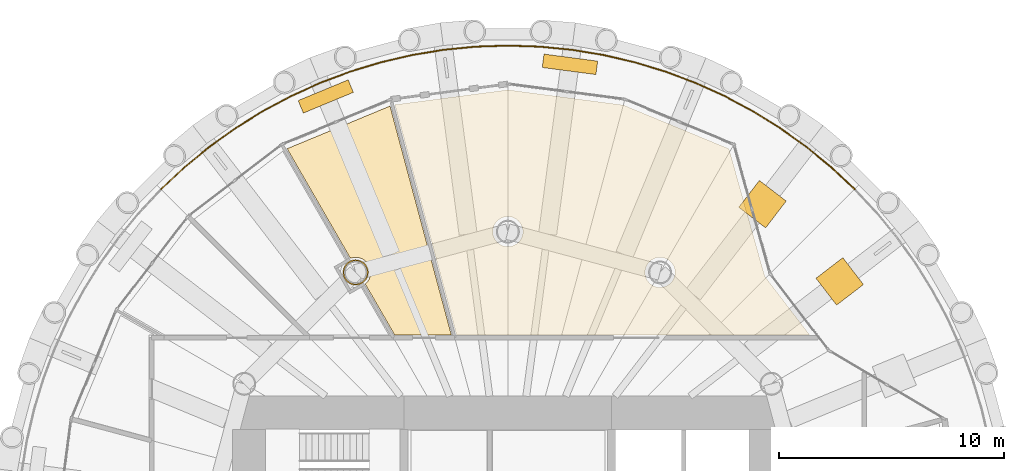
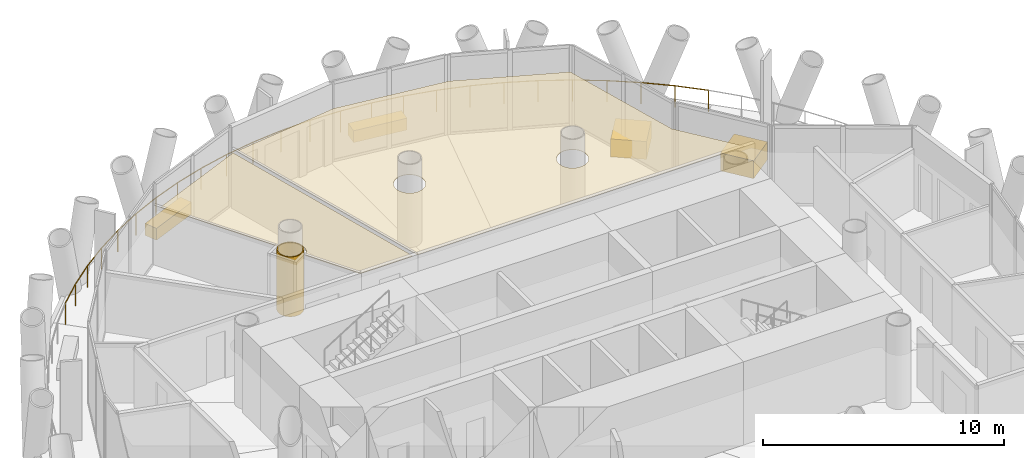
# One storey, part 14 of 14: 7 coverings, 1 railing.
"""IFC4 building model written with IfcOpenShell, lengths in metres."""

import ifcopenshell
import ifcopenshell.guid

model = None  # the IFC model being written
_history = None  # IfcOwnerHistory: only IFC2X3 demands one
_inside = {}  # id of a spatial element -> (the spatial element, [elements in it])
_under = {}  # id of a project, library or spatial element -> (it, [spatial elements below it])
_declared = {}  # id of a project -> (the project, [libraries it declares])
_typed = {}  # id of a type object -> (the type object, [elements of that type])
_made_of = {}  # id of a material, layer set ... -> (it, [elements and type objects made of it])


def new_model(schema):
    """Start an empty IFC model of exactly this schema.

    Asked for "IFC4X3", IfcOpenShell would pick the latest addendum, in which some entities
    have other attributes; the version numbers below select the first issue.
    IFC2X3 requires an IfcOwnerHistory on every rooted entity: one is made here for all.
    """
    global model, _history
    if schema == "IFC4X3":
        model = ifcopenshell.file(schema_version=(4, 3, 0, 0))
    else:
        model = ifcopenshell.file(schema=schema)
    _inside.clear()
    _under.clear()
    _declared.clear()
    _typed.clear()
    _made_of.clear()
    _history = None
    if model.schema == "IFC2X3":
        org = make("IfcOrganization", Name="unknown")
        user = make(
            "IfcPersonAndOrganization",
            ThePerson=make("IfcPerson", FamilyName="unknown"),
            TheOrganization=org,
        )
        app = make(
            "IfcApplication",
            ApplicationDeveloper=org,
            Version="unknown",
            ApplicationFullName="unknown",
            ApplicationIdentifier="unknown",
        )
        _history = make(
            "IfcOwnerHistory",
            OwningUser=user,
            OwningApplication=app,
            ChangeAction="ADDED",
            CreationDate=0,
        )
    return model


def make(cls, **values):
    """One entity of the class cls with the attributes given. An attribute that is None is left unset."""
    return model.create_entity(
        cls, **{name: value for name, value in values.items() if value is not None}
    )


def rooted(cls, **values):
    """An entity with a GlobalId (a new one), such as an element, a storey or a relation."""
    return make(cls, GlobalId=ifcopenshell.guid.new(), OwnerHistory=_history, **values)


def si_unit(unit_type, name, prefix=None):
    """IfcSIUnit, for example si_unit("LENGTHUNIT", "METRE", prefix="MILLI")."""
    return make("IfcSIUnit", UnitType=unit_type, Prefix=prefix, Name=name)


def assignment(units):
    """IfcUnitAssignment: the units of a project."""
    return None if units is None else make("IfcUnitAssignment", Units=units)


def point(xyz):
    """IfcCartesianPoint."""
    return None if xyz is None else make("IfcCartesianPoint", Coordinates=xyz)


def direction(xyz):
    """IfcDirection."""
    return None if xyz is None else make("IfcDirection", DirectionRatios=xyz)


def frame(location, z_axis=None, x_axis=None):
    """IfcAxis2Placement3D, a coordinate frame: its origin and axes. An axis left out is left unset."""
    return make(
        "IfcAxis2Placement3D",
        Location=point(location),
        Axis=direction(z_axis),
        RefDirection=direction(x_axis),
    )


def frame_2d(location, x_axis=None):
    """IfcAxis2Placement2D, a coordinate frame in the plane: its origin and x axis."""
    return make(
        "IfcAxis2Placement2D", Location=point(location), RefDirection=direction(x_axis)
    )


def origin():
    """The frame at (0, 0, 0) with its axes left unset."""
    return frame((0.0, 0.0, 0.0))


def origin_2d():
    """The frame at (0, 0) in the plane with its x axis left unset."""
    return frame_2d((0.0, 0.0))


def place(relative_to, where):
    """IfcLocalPlacement: puts the frame where relative to a parent placement (None: the world)."""
    return make(
        "IfcLocalPlacement", PlacementRelTo=relative_to, RelativePlacement=where
    )


def context(
    kind, dimensions, precision=None, world=None, true_north=None, identifier=None
):
    """IfcGeometricRepresentationContext, for example the 3D "Model" context."""
    return make(
        "IfcGeometricRepresentationContext",
        ContextIdentifier=identifier,
        ContextType=kind,
        CoordinateSpaceDimension=dimensions,
        Precision=precision,
        WorldCoordinateSystem=world,
        TrueNorth=true_north,
    )


def subcontext(parent, identifier, kind, view, scale=None):
    """IfcGeometricRepresentationSubContext, for example "Body" below "Model"."""
    return make(
        "IfcGeometricRepresentationSubContext",
        ContextIdentifier=identifier,
        ContextType=kind,
        ParentContext=parent,
        TargetScale=scale,
        TargetView=view,
    )


def project(units=None, contexts=None):
    """IfcProject with its units and contexts."""
    return rooted(
        "IfcProject",
        Name="project",
        RepresentationContexts=contexts,
        UnitsInContext=assignment(units),
    )


def spatial(cls, under=None, at=None, **own):
    """A site, building, storey or space (cls), placed at a placement, below another one or the project."""
    s = rooted(cls, ObjectPlacement=at, **own)
    if under is not None:
        _under.setdefault(under.id(), (under, []))[1].append(s)
    return s


def polyline(points):
    """IfcPolyline through the points."""
    return make("IfcPolyline", Points=[point(p) for p in points])


def profile(cls, at=None, kind="AREA", **sizes):
    """A parametric profile (cls). Its sizes go by their IFC names, for example OverallWidth=200.0."""
    return make(cls, ProfileType=kind, Position=at, **sizes)


def rectangle(**sizes):
    """IfcRectangleProfileDef."""
    return profile("IfcRectangleProfileDef", **sizes)


def circle(**sizes):
    """IfcCircleProfileDef."""
    return profile("IfcCircleProfileDef", **sizes)


def outline(outer, holes=None, kind="AREA"):
    """IfcArbitraryClosedProfileDef: a profile drawn as a closed curve; with holes, ...WithVoids."""
    if holes is None:
        return make("IfcArbitraryClosedProfileDef", ProfileType=kind, OuterCurve=outer)
    return make(
        "IfcArbitraryProfileDefWithVoids",
        ProfileType=kind,
        OuterCurve=outer,
        InnerCurves=holes,
    )


def extrude(swept, where, along, depth):
    """IfcExtrudedAreaSolid: the profile swept, set in the frame where, extruded along a direction by depth."""
    return make(
        "IfcExtrudedAreaSolid",
        SweptArea=swept,
        Position=where,
        ExtrudedDirection=direction(along),
        Depth=depth,
    )


def shape(context_of_items, identifier, shape_type, items):
    """IfcShapeRepresentation: the items that make up one representation, for example the "Body"."""
    return make(
        "IfcShapeRepresentation",
        ContextOfItems=context_of_items,
        RepresentationIdentifier=identifier,
        RepresentationType=shape_type,
        Items=items,
    )


def material(Name=None, Category=None):
    """IfcMaterial."""
    return make("IfcMaterial", Name=Name, Category=Category)


def layer(
    of_material, thickness, ventilated=None, Name=None, Category=None, Priority=None
):
    """IfcMaterialLayer: one layer of a wall or slab, of a material (None: an air gap)."""
    return make(
        "IfcMaterialLayer",
        Material=of_material,
        LayerThickness=thickness,
        IsVentilated=ventilated,
        Name=Name,
        Category=Category,
        Priority=Priority,
    )


def layer_set(layers, Name=None):
    """IfcMaterialLayerSet."""
    return make("IfcMaterialLayerSet", MaterialLayers=layers, LayerSetName=Name)


def made_of(thing, what):
    """Note that an element or type object is made of a material, layer set ...; save() writes the relation."""
    if what is not None:
        _made_of.setdefault(what.id(), (what, []))[1].append(thing)
    return thing


def type_object(cls, material=None, **own):
    """A type object (cls), such as IfcWallType, which elements share."""
    return made_of(rooted(cls, **own), material)


def element(
    cls,
    number,
    at=None,
    inside=None,
    cuts=None,
    type_object=None,
    material=None,
    context=None,
    identifier="Body",
    shape_type=None,
    held_by="IfcProductDefinitionShape",
    body=None,
    shapes=None,
    **own,
):
    """One element of the class cls, such as IfcWall. Its Tag is "e" and its number.

    at: its placement. inside: the storey or other place that contains it. cuts: it is an
    opening in that element (IfcRelVoidsElement). A single representation is given by context,
    identifier, shape_type and body (its items); several are given by shapes. held_by: the class
    of the entity that holds the representations. save() writes the other relations.
    """
    e = rooted(cls, Tag="e%d" % number, ObjectPlacement=at, **own)
    if body is not None:
        shapes = [shape(context, identifier, shape_type, body)]
    if shapes is not None:
        e.Representation = make(held_by, Representations=shapes)
    if inside is not None:
        _inside.setdefault(inside.id(), (inside, []))[1].append(e)
    if cuts is not None:
        rooted(
            "IfcRelVoidsElement", RelatingBuildingElement=cuts, RelatedOpeningElement=e
        )
    if type_object is not None:
        _typed.setdefault(type_object.id(), (type_object, []))[1].append(e)
    return made_of(e, material)


def aggregate(whole, parts):
    """IfcRelAggregates: a whole, such as a stair, and the parts it consists of."""
    return rooted("IfcRelAggregates", RelatingObject=whole, RelatedObjects=parts)


def save(model, path):
    """Write the relations noted so far, then the file.

    IfcRelAggregates (storeys below a building ...), IfcRelContainedInSpatialStructure (elements
    in a storey), IfcRelDefinesByType, IfcRelAssociatesMaterial and IfcRelDeclares: one each for
    every whole, place, type object, material and project.
    """
    for whole, parts in _under.values():
        aggregate(whole, parts)
    for where, things in _inside.values():
        rooted(
            "IfcRelContainedInSpatialStructure",
            RelatedElements=things,
            RelatingStructure=where,
        )
    for kind, things in _typed.values():
        rooted("IfcRelDefinesByType", RelatedObjects=things, RelatingType=kind)
    for what, things in _made_of.values():
        rooted("IfcRelAssociatesMaterial", RelatedObjects=things, RelatingMaterial=what)
    for by, libraries in _declared.values():
        rooted("IfcRelDeclares", RelatingContext=by, RelatedDefinitions=libraries)
    model.write(path)


model = new_model("IFC4")

# Units and contexts
model_context = context("Model", 3, precision=1e-05, world=origin(), true_north=direction((0.0, 1.0)))
body_context = subcontext(model_context, "Body", "Model", "MODEL_VIEW")
ifc_project = project(units=[si_unit("LENGTHUNIT", "METRE"), si_unit("AREAUNIT", "SQUARE_METRE"), si_unit("VOLUMEUNIT", "CUBIC_METRE"), si_unit("PLANEANGLEUNIT", "RADIAN"), si_unit("MASSUNIT", "GRAM", prefix="KILO")], contexts=[model_context])

# Site, building, storey
site_placement = place(None, origin())
site = spatial("IfcSite", under=ifc_project, at=site_placement, CompositionType="ELEMENT")
building_placement = place(site_placement, origin())
building = spatial("IfcBuilding", under=site, at=building_placement, Name="Qaws Media Tower", CompositionType="ELEMENT")
storey_placement = place(building_placement, frame((0.0, 0.0, 236.0)))
storey = spatial("IfcBuildingStorey", under=building, at=storey_placement, Name="L54", CompositionType="ELEMENT", Elevation=236.0)

# Covering
ifc_material_1 = material(Name="40 perforated acoustic panels with mineral wool backing, suspended", Category="mineral fibre")
ifc_layer_1 = layer(ifc_material_1, 0.0400390625)
ifc_layer_set_1 = layer_set([ifc_layer_1], Name="Acoustic panel ceiling 40")
covering_type_1 = type_object("IfcCoveringType", Name="Acoustic panel ceiling 40", PredefinedType="CEILING", material=ifc_layer_set_1)
covering_1_placement = place(storey_placement, frame((0.0, 0.0, 2.85009765625)))
element("IfcCovering", 1, at=covering_1_placement, inside=storey, type_object=covering_type_1, Name="CL3 ceiling L54-04 Meeting room", PredefinedType="CEILING", context=body_context, shape_type="SweptSolid", body=[
    extrude(outline(polyline([(54.7744140625, 69.067626953125), (57.495361328125, 58.91259765625), (54.984375, 58.91259765625), (53.676025390625, 61.178466796875), (53.722412109375, 61.218994140625), (53.780029296875, 61.28466796875), (53.82861328125, 61.357421875), (53.8671875, 61.435791015625), (53.895263671875, 61.5185546875), (53.912353515625, 61.604248046875), (53.91796875, 61.69140625), (53.912353515625, 61.778564453125), (53.895263671875, 61.8642578125), (53.8671875, 61.947021484375), (53.82861328125, 62.025390625), (53.780029296875, 62.097900390625), (53.722412109375, 62.163818359375), (53.65673828125, 62.22119140625), (53.583984375, 62.269775390625), (53.505615234375, 62.30859375), (53.4228515625, 62.336669921875), (53.337158203125, 62.353515625), (53.25, 62.359375), (53.162841796875, 62.353515625), (53.0771484375, 62.336669921875), (53.018798828125, 62.31689453125), (50.212158203125, 67.177978515625), (54.7744140625, 69.067626953125)])), origin(), (0.0, 0.0, 1.0), 0.039794921875),
])

# Railing
ifc_material_2 = material(Name="Stainless steel and glass guard", Category="steel")
railing_type = type_object("IfcRailingType", Name="Balcony guard 1100", PredefinedType="GUARDRAIL", material=ifc_material_2)
railing_placement = place(storey_placement, frame((75.379638671875, 65.379638671875, 0.0)))
element("IfcRailing", 2, at=railing_placement, inside=storey, type_object=railing_type, Name="GR1 balcony guard L54-1", PredefinedType="GUARDRAIL", context=body_context, shape_type="SweptSolid", body=[
    extrude(circle(Radius=0.02392578125, at=origin_2d()), frame((0.0, 0.0, 1.076171875), z_axis=(-0.72988481756, 0.683570152286, 0.0), x_axis=(-0.683570152286, -0.72988481756, 0.0)), (0.0, 0.0, 1.0), 1.42333984375),
    extrude(circle(Radius=0.02392578125, at=origin_2d()), frame((-1.038818359375, 0.972900390625, 1.076171875), z_axis=(-0.773077683944, 0.63431135461, 0.0), x_axis=(-0.63431135461, -0.773077683944, 0.0)), (0.0, 0.0, 1.0), 1.42333984375),
    extrude(circle(Radius=0.02392578125, at=origin_2d()), frame((-2.13916015625, 1.875732421875, 1.076171875), z_axis=(-0.812781929226, 0.582568052269, 0.0), x_axis=(-0.582568052269, -0.812781929226, 0.0)), (0.0, 0.0, 1.0), 1.423095703125),
    extrude(circle(Radius=0.02392578125, at=origin_2d()), frame((-3.2958984375, 2.704833984375, 1.076171875), z_axis=(-0.849258301905, 0.527977591045, 0.0), x_axis=(-0.527977591045, -0.849258301905, 0.0)), (0.0, 0.0, 1.0), 1.42333984375),
    extrude(circle(Radius=0.02392578125, at=origin_2d()), frame((-4.504638671875, 3.456298828125, 1.076171875), z_axis=(-0.881844360782, 0.471540585059, 0.0), x_axis=(-0.471540585059, -0.881844360782, 0.0)), (0.0, 0.0, 1.0), 1.42333984375),
    extrude(circle(Radius=0.02392578125, at=origin_2d()), frame((-5.759765625, 4.12744140625, 1.076171875), z_axis=(-0.910859291585, 0.412717034944, 0.0), x_axis=(-0.412717034944, -0.910859291585, 0.0)), (0.0, 0.0, 1.0), 1.42333984375),
    extrude(circle(Radius=0.02392578125, at=origin_2d()), frame((-7.05615234375, 4.71484375, 1.076171875), z_axis=(-0.935955074768, 0.352119437145, 0.0), x_axis=(-0.352119437145, -0.935955074768, 0.0)), (0.0, 0.0, 1.0), 1.42333984375),
    extrude(circle(Radius=0.02392578125, at=origin_2d()), frame((-8.388427734375, 5.216064453125, 1.076171875), z_axis=(-0.956943566799, 0.290274025641, 0.0), x_axis=(-0.290274025641, -0.956943566799, 0.0)), (0.0, 0.0, 1.0), 1.423095703125),
    extrude(circle(Radius=0.02392578125, at=origin_2d()), frame((-9.750244140625, 5.629150390625, 1.076171875), z_axis=(-0.973874093229, 0.227088640267, 0.0), x_axis=(-0.227088640267, -0.973874093229, 0.0)), (0.0, 0.0, 1.0), 1.42333984375),
    extrude(circle(Radius=0.02392578125, at=origin_2d()), frame((-11.136474609375, 5.952392578125, 1.076171875), z_axis=(-0.986633930928, 0.162952405143, 0.0), x_axis=(-0.162952405143, -0.986633930928, 0.0)), (0.0, 0.0, 1.0), 1.42333984375),
    extrude(circle(Radius=0.02392578125, at=origin_2d()), frame((-12.540771484375, 6.184326171875, 1.076171875), z_axis=(-0.995190559024, 0.097957905396, 0.0), x_axis=(-0.097957905396, -0.995190559024, 0.0)), (0.0, 0.0, 1.0), 1.423095703125),
    extrude(circle(Radius=0.02392578125, at=origin_2d()), frame((-13.95703125, 6.32373046875, 1.076171875), z_axis=(-0.999463219276, 0.032760850332, 0.0), x_axis=(-0.032760850332, -0.999463219276, 0.0)), (0.0, 0.0, 1.0), 1.42333984375),
    extrude(circle(Radius=0.02392578125, at=origin_2d()), frame((-15.379638671875, 6.370361328125, 1.076171875), z_axis=(-0.999463219276, -0.032760850332, 0.0), x_axis=(0.032760850332, -0.999463219276, 0.0)), (0.0, 0.0, 1.0), 1.42333984375),
    extrude(circle(Radius=0.02392578125, at=origin_2d()), frame((-16.80224609375, 6.32373046875, 1.076171875), z_axis=(-0.995190559024, -0.097957905396, 0.0), x_axis=(0.097957905396, -0.995190559024, 0.0)), (0.0, 0.0, 1.0), 1.423095703125),
    extrude(circle(Radius=0.02392578125, at=origin_2d()), frame((-18.218505859375, 6.184326171875, 1.076171875), z_axis=(-0.986633930928, -0.162952405143, 0.0), x_axis=(0.162952405143, -0.986633930928, 0.0)), (0.0, 0.0, 1.0), 1.42333984375),
    extrude(circle(Radius=0.02392578125, at=origin_2d()), frame((-19.622802734375, 5.952392578125, 1.076171875), z_axis=(-0.973874093229, -0.227088640267, 0.0), x_axis=(0.227088640267, -0.973874093229, 0.0)), (0.0, 0.0, 1.0), 1.42333984375),
    extrude(circle(Radius=0.02392578125, at=origin_2d()), frame((-21.009033203125, 5.629150390625, 1.076171875), z_axis=(-0.956943566799, -0.290274025641, 0.0), x_axis=(0.290274025641, -0.956943566799, 0.0)), (0.0, 0.0, 1.0), 1.423095703125),
    extrude(circle(Radius=0.02392578125, at=origin_2d()), frame((-22.370849609375, 5.216064453125, 1.076171875), z_axis=(-0.935955074768, -0.352119437145, 0.0), x_axis=(0.352119437145, -0.935955074768, 0.0)), (0.0, 0.0, 1.0), 1.42333984375),
    extrude(circle(Radius=0.02392578125, at=origin_2d()), frame((-23.703125, 4.71484375, 1.076171875), z_axis=(-0.910859291585, -0.412717034944, 0.0), x_axis=(0.412717034944, -0.910859291585, 0.0)), (0.0, 0.0, 1.0), 1.42333984375),
    extrude(circle(Radius=0.02392578125, at=origin_2d()), frame((-24.99951171875, 4.12744140625, 1.076171875), z_axis=(-0.881844360782, -0.471540585059, 0.0), x_axis=(0.471540585059, -0.881844360782, 0.0)), (0.0, 0.0, 1.0), 1.42333984375),
    extrude(circle(Radius=0.02392578125, at=origin_2d()), frame((-26.254638671875, 3.456298828125, 1.076171875), z_axis=(-0.849258301905, -0.527977591045, 0.0), x_axis=(0.527977591045, -0.849258301905, 0.0)), (0.0, 0.0, 1.0), 1.42333984375),
    extrude(circle(Radius=0.02392578125, at=origin_2d()), frame((-27.46337890625, 2.704833984375, 1.076171875), z_axis=(-0.812781929226, -0.582568052269, 0.0), x_axis=(0.582568052269, -0.812781929226, 0.0)), (0.0, 0.0, 1.0), 1.423095703125),
    extrude(circle(Radius=0.02392578125, at=origin_2d()), frame((-28.6201171875, 1.875732421875, 1.076171875), z_axis=(-0.773077683944, -0.63431135461, 0.0), x_axis=(0.63431135461, -0.773077683944, 0.0)), (0.0, 0.0, 1.0), 1.42333984375),
    extrude(circle(Radius=0.02392578125, at=origin_2d()), frame((-29.720458984375, 0.972900390625, 1.076171875), z_axis=(-0.72988481756, -0.683570152286, 0.0), x_axis=(0.683570152286, -0.72988481756, 0.0)), (0.0, 0.0, 1.0), 1.42333984375),
    extrude(circle(Radius=0.02099609375, at=origin_2d()), origin(), (0.0, 0.0, 1.0), 1.052001953125),
    extrude(circle(Radius=0.02099609375, at=origin_2d()), frame((-1.038818359375, 0.972900390625, 0.0)), (0.0, 0.0, 1.0), 1.052001953125),
    extrude(circle(Radius=0.02099609375, at=origin_2d()), frame((-2.13916015625, 1.875732421875, 0.0)), (0.0, 0.0, 1.0), 1.052001953125),
    extrude(circle(Radius=0.02099609375, at=origin_2d()), frame((-3.2958984375, 2.704833984375, 0.0)), (0.0, 0.0, 1.0), 1.052001953125),
    extrude(circle(Radius=0.02099609375, at=origin_2d()), frame((-4.504638671875, 3.456298828125, 0.0)), (0.0, 0.0, 1.0), 1.052001953125),
    extrude(circle(Radius=0.02099609375, at=origin_2d()), frame((-5.759765625, 4.12744140625, 0.0)), (0.0, 0.0, 1.0), 1.052001953125),
    extrude(circle(Radius=0.02099609375, at=origin_2d()), frame((-7.05615234375, 4.71484375, 0.0)), (0.0, 0.0, 1.0), 1.052001953125),
    extrude(circle(Radius=0.02099609375, at=origin_2d()), frame((-8.388427734375, 5.216064453125, 0.0)), (0.0, 0.0, 1.0), 1.052001953125),
    extrude(circle(Radius=0.02099609375, at=origin_2d()), frame((-9.750244140625, 5.629150390625, 0.0)), (0.0, 0.0, 1.0), 1.052001953125),
    extrude(circle(Radius=0.02099609375, at=origin_2d()), frame((-11.136474609375, 5.952392578125, 0.0)), (0.0, 0.0, 1.0), 1.052001953125),
    extrude(circle(Radius=0.02099609375, at=origin_2d()), frame((-12.540771484375, 6.184326171875, 0.0)), (0.0, 0.0, 1.0), 1.052001953125),
    extrude(circle(Radius=0.02099609375, at=origin_2d()), frame((-13.95703125, 6.32373046875, 0.0)), (0.0, 0.0, 1.0), 1.052001953125),
    extrude(circle(Radius=0.02099609375, at=origin_2d()), frame((-15.379638671875, 6.370361328125, 0.0)), (0.0, 0.0, 1.0), 1.052001953125),
    extrude(circle(Radius=0.02099609375, at=origin_2d()), frame((-16.80224609375, 6.32373046875, 0.0)), (0.0, 0.0, 1.0), 1.052001953125),
    extrude(circle(Radius=0.02099609375, at=origin_2d()), frame((-18.218505859375, 6.184326171875, 0.0)), (0.0, 0.0, 1.0), 1.052001953125),
    extrude(circle(Radius=0.02099609375, at=origin_2d()), frame((-19.622802734375, 5.952392578125, 0.0)), (0.0, 0.0, 1.0), 1.052001953125),
    extrude(circle(Radius=0.02099609375, at=origin_2d()), frame((-21.009033203125, 5.629150390625, 0.0)), (0.0, 0.0, 1.0), 1.052001953125),
    extrude(circle(Radius=0.02099609375, at=origin_2d()), frame((-22.370849609375, 5.216064453125, 0.0)), (0.0, 0.0, 1.0), 1.052001953125),
    extrude(circle(Radius=0.02099609375, at=origin_2d()), frame((-23.703125, 4.71484375, 0.0)), (0.0, 0.0, 1.0), 1.052001953125),
    extrude(circle(Radius=0.02099609375, at=origin_2d()), frame((-24.99951171875, 4.12744140625, 0.0)), (0.0, 0.0, 1.0), 1.052001953125),
    extrude(circle(Radius=0.02099609375, at=origin_2d()), frame((-26.254638671875, 3.456298828125, 0.0)), (0.0, 0.0, 1.0), 1.052001953125),
    extrude(circle(Radius=0.02099609375, at=origin_2d()), frame((-27.46337890625, 2.704833984375, 0.0)), (0.0, 0.0, 1.0), 1.052001953125),
    extrude(circle(Radius=0.02099609375, at=origin_2d()), frame((-28.6201171875, 1.875732421875, 0.0)), (0.0, 0.0, 1.0), 1.052001953125),
    extrude(circle(Radius=0.02099609375, at=origin_2d()), frame((-29.720458984375, 0.972900390625, 0.0)), (0.0, 0.0, 1.0), 1.052001953125),
    extrude(circle(Radius=0.02099609375, at=origin_2d()), frame((-30.75927734375, 0.0, 0.0)), (0.0, 0.0, 1.0), 1.052001953125),
])

# Coverings
ifc_material_3 = material(Name="Two layers 15 fire-rated gypsum board on steel framing", Category="steel")
ifc_layer_2 = layer(ifc_material_3, 0.050048828125)
ifc_layer_set_2 = layer_set([ifc_layer_2], Name="Column fire casing")
covering_type_2 = type_object("IfcCoveringType", Name="Column fire casing", PredefinedType="CLADDING", material=ifc_layer_set_2)
covering_2_placement = place(storey_placement, origin())
element("IfcCovering", 3, at=covering_2_placement, inside=storey, type_object=covering_type_2, Name="CC1 column casing L54", PredefinedType="CLADDING", context=body_context, shape_type="SweptSolid", body=[
    extrude(outline(polyline([(53.81298828125, 61.69140625), (53.80810546875, 61.617919921875), (53.793701171875, 61.545654296875), (53.77001953125, 61.475830078125), (53.737548828125, 61.409912109375), (53.69677734375, 61.3486328125), (53.648193359375, 61.293212890625), (53.5927734375, 61.24462890625), (53.531494140625, 61.203857421875), (53.465576171875, 61.171142578125), (53.395751953125, 61.1474609375), (53.323486328125, 61.13330078125), (53.25, 61.12841796875), (53.176513671875, 61.13330078125), (53.104248046875, 61.1474609375), (53.034423828125, 61.171142578125), (52.968505859375, 61.203857421875), (52.9072265625, 61.24462890625), (52.851806640625, 61.293212890625), (52.80322265625, 61.3486328125), (52.762451171875, 61.409912109375), (52.72998046875, 61.475830078125), (52.706298828125, 61.545654296875), (52.69189453125, 61.617919921875), (52.68701171875, 61.69140625), (52.69189453125, 61.764892578125), (52.706298828125, 61.837158203125), (52.72998046875, 61.90673828125), (52.762451171875, 61.972900390625), (52.80322265625, 62.0341796875), (52.851806640625, 62.08935546875), (52.9072265625, 62.137939453125), (52.968505859375, 62.178955078125), (53.034423828125, 62.21142578125), (53.104248046875, 62.235107421875), (53.176513671875, 62.24951171875), (53.25, 62.25439453125), (53.323486328125, 62.24951171875), (53.395751953125, 62.235107421875), (53.465576171875, 62.21142578125), (53.531494140625, 62.178955078125), (53.5927734375, 62.137939453125), (53.648193359375, 62.08935546875), (53.69677734375, 62.0341796875), (53.737548828125, 61.972900390625), (53.77001953125, 61.90673828125), (53.793701171875, 61.837158203125), (53.80810546875, 61.764892578125), (53.81298828125, 61.69140625)]), holes=[polyline([(53.760986328125, 61.69140625), (53.756591796875, 61.62451171875), (53.74365234375, 61.55908203125), (53.72216796875, 61.495849609375), (53.6923828125, 61.435791015625), (53.655517578125, 61.38037109375), (53.611328125, 61.330078125), (53.56103515625, 61.285888671875), (53.505615234375, 61.248779296875), (53.445556640625, 61.21923828125), (53.38232421875, 61.19775390625), (53.316650390625, 61.184814453125), (53.25, 61.180419921875), (53.183349609375, 61.184814453125), (53.11767578125, 61.19775390625), (53.054443359375, 61.21923828125), (52.994384765625, 61.248779296875), (52.93896484375, 61.285888671875), (52.888671875, 61.330078125), (52.844482421875, 61.38037109375), (52.8076171875, 61.435791015625), (52.77783203125, 61.495849609375), (52.75634765625, 61.55908203125), (52.743408203125, 61.62451171875), (52.739013671875, 61.69140625), (52.743408203125, 61.758056640625), (52.75634765625, 61.823486328125), (52.77783203125, 61.886962890625), (52.8076171875, 61.94677734375), (52.844482421875, 62.00244140625), (52.888671875, 62.052734375), (52.93896484375, 62.0966796875), (52.994384765625, 62.1337890625), (53.054443359375, 62.163330078125), (53.11767578125, 62.184814453125), (53.183349609375, 62.197998046875), (53.25, 62.202392578125), (53.316650390625, 62.197998046875), (53.38232421875, 62.184814453125), (53.445556640625, 62.163330078125), (53.505615234375, 62.1337890625), (53.56103515625, 62.0966796875), (53.611328125, 62.052734375), (53.655517578125, 62.00244140625), (53.6923828125, 61.94677734375), (53.72216796875, 61.886962890625), (53.74365234375, 61.823486328125), (53.756591796875, 61.758056640625), (53.760986328125, 61.69140625)])]), origin(), (0.0, 0.0, 1.0), 3.02001953125),
])
ifc_material_4 = material(Name="600 x 600 mineral fibre tiles in exposed grid, suspended", Category="mineral fibre")
ifc_layer_3 = layer(ifc_material_4, 0.02001953125)
ifc_layer_set_3 = layer_set([ifc_layer_3], Name="Mineral fibre tile ceiling 20")
covering_type_3 = type_object("IfcCoveringType", Name="Mineral fibre tile ceiling 20", PredefinedType="CEILING", material=ifc_layer_set_3)
covering_3_placement = place(storey_placement, frame((0.0, 0.0, 2.85009765625)))
element("IfcCovering", 4, at=covering_3_placement, inside=storey, type_object=covering_type_3, Name="CL1 ceiling L54-03 Tenant office", PredefinedType="CEILING", context=body_context, shape_type="SweptSolid", body=[
    extrude(outline(polyline([(60.0, 69.78515625), (65.120849609375, 69.111083984375), (69.806640625, 67.170166015625), (71.392822265625, 61.51220703125), (73.3876953125, 58.91259765625), (57.728515625, 58.91259765625), (54.99169921875, 69.1259765625), (60.0, 69.78515625)]), holes=[polyline([(60.6171875, 63.244384765625), (60.645263671875, 63.3271484375), (60.662353515625, 63.412841796875), (60.66796875, 63.5), (60.662353515625, 63.587158203125), (60.645263671875, 63.6728515625), (60.6171875, 63.755615234375), (60.57861328125, 63.833984375), (60.530029296875, 63.90673828125), (60.472412109375, 63.972412109375), (60.40673828125, 64.030029296875), (60.333984375, 64.07861328125), (60.255615234375, 64.1171875), (60.1728515625, 64.145263671875), (60.087158203125, 64.162353515625), (60.0, 64.16796875), (59.912841796875, 64.162353515625), (59.8271484375, 64.145263671875), (59.744384765625, 64.1171875), (59.666015625, 64.07861328125), (59.59326171875, 64.030029296875), (59.527587890625, 63.972412109375), (59.469970703125, 63.90673828125), (59.42138671875, 63.833984375), (59.3828125, 63.755615234375), (59.354736328125, 63.6728515625), (59.337646484375, 63.587158203125), (59.33203125, 63.5), (59.337646484375, 63.412841796875), (59.354736328125, 63.3271484375), (59.3828125, 63.244384765625), (59.42138671875, 63.166015625), (59.469970703125, 63.09326171875), (59.527587890625, 63.027587890625), (59.59326171875, 62.969970703125), (59.666015625, 62.92138671875), (59.744384765625, 62.8828125), (59.8271484375, 62.854736328125), (59.912841796875, 62.837646484375), (60.0, 62.83203125), (60.087158203125, 62.837646484375), (60.1728515625, 62.854736328125), (60.255615234375, 62.8828125), (60.333984375, 62.92138671875), (60.40673828125, 62.969970703125), (60.472412109375, 63.027587890625), (60.530029296875, 63.09326171875), (60.57861328125, 63.166015625), (60.6171875, 63.244384765625)]), polyline([(67.3671875, 61.435791015625), (67.395263671875, 61.5185546875), (67.412353515625, 61.604248046875), (67.41796875, 61.69140625), (67.412353515625, 61.778564453125), (67.395263671875, 61.8642578125), (67.3671875, 61.947021484375), (67.32861328125, 62.025390625), (67.280029296875, 62.097900390625), (67.222412109375, 62.163818359375), (67.15673828125, 62.22119140625), (67.083984375, 62.269775390625), (67.005615234375, 62.30859375), (66.9228515625, 62.336669921875), (66.837158203125, 62.353515625), (66.75, 62.359375), (66.662841796875, 62.353515625), (66.5771484375, 62.336669921875), (66.494384765625, 62.30859375), (66.416015625, 62.269775390625), (66.34326171875, 62.22119140625), (66.277587890625, 62.163818359375), (66.219970703125, 62.097900390625), (66.17138671875, 62.025390625), (66.1328125, 61.947021484375), (66.104736328125, 61.8642578125), (66.087646484375, 61.778564453125), (66.08203125, 61.69140625), (66.087646484375, 61.604248046875), (66.104736328125, 61.5185546875), (66.1328125, 61.435791015625), (66.17138671875, 61.357421875), (66.219970703125, 61.28466796875), (66.277587890625, 61.218994140625), (66.34326171875, 61.161376953125), (66.416015625, 61.11279296875), (66.494384765625, 61.07421875), (66.5771484375, 61.046142578125), (66.662841796875, 61.029052734375), (66.75, 61.023193359375), (66.837158203125, 61.029052734375), (66.9228515625, 61.046142578125), (67.005615234375, 61.07421875), (67.083984375, 61.11279296875), (67.15673828125, 61.161376953125), (67.222412109375, 61.218994140625), (67.280029296875, 61.28466796875), (67.32861328125, 61.357421875), (67.3671875, 61.435791015625)])]), origin(), (0.0, 0.0, 1.0), 0.02001953125),
])
ifc_material_5 = material(Name="Precast concrete planter with trailing planting", Category="concrete")
ifc_layer_4 = layer(ifc_material_5, 0.60009765625)
ifc_layer_set_4 = layer_set([ifc_layer_4], Name="Planter 2400x600")
covering_type_4 = type_object("IfcCoveringType", Name="Planter 2400x600", PredefinedType="USERDEFINED", material=ifc_layer_set_4)
for number, where, z_axis, x_axis, name in (
    (5, (62.754150390625, 70.91943359375, 0.0), (0.0, 0.0, 1.0), (-0.991444861374, 0.13052619222, 0.0), "PL1 balcony planter L54-03"),
    (6, (51.92529296875, 69.493896484375, 0.0), (0.0, 0.0, 1.0), (-0.923879532511, -0.382683432365, 0.0), "PL1 balcony planter L54-04"),
):
    element("IfcCovering", number, at=place(storey_placement, frame(where, z_axis=z_axis, x_axis=x_axis)), inside=storey, type_object=covering_type_4, Name=name, ObjectType="PLANTER", PredefinedType="USERDEFINED", context=body_context, shape_type="SweptSolid", body=[
        extrude(rectangle(XDim=2.39990234375, YDim=0.60009765625, at=origin_2d()), origin(), (0.0, 0.0, 1.0), 0.60009765625),
    ])
ifc_material_6 = material(Name="Precast concrete tree planter", Category="concrete")
ifc_layer_5 = layer(ifc_material_6, 0.89990234375)
ifc_layer_set_5 = layer_set([ifc_layer_5], Name="Tree planter 1500")
covering_type_5 = type_object("IfcCoveringType", Name="Tree planter 1500", PredefinedType="USERDEFINED", material=ifc_layer_set_5)
for number, where, z_axis, x_axis, name in (
    (7, (74.716796875, 61.29248046875, 0.0), (0.0, 0.0, 1.0), (0.793353340291, 0.608761429009, 0.0), "PL2 sky garden tree planter L54-2"),
    (8, (71.29248046875, 64.716796875, 0.0), (0.0, 0.0, 1.0), (0.608761429009, 0.793353340291, 0.0), "PL2 sky garden tree planter L54-3"),
):
    element("IfcCovering", number, at=place(storey_placement, frame(where, z_axis=z_axis, x_axis=x_axis)), inside=storey, type_object=covering_type_5, Name=name, ObjectType="PLANTER", PredefinedType="USERDEFINED", context=body_context, shape_type="SweptSolid", body=[
        extrude(rectangle(XDim=1.5, YDim=1.5, at=origin_2d()), origin(), (0.0, 0.0, 1.0), 0.89990234375),
    ])

save(model, "model.ifc")
